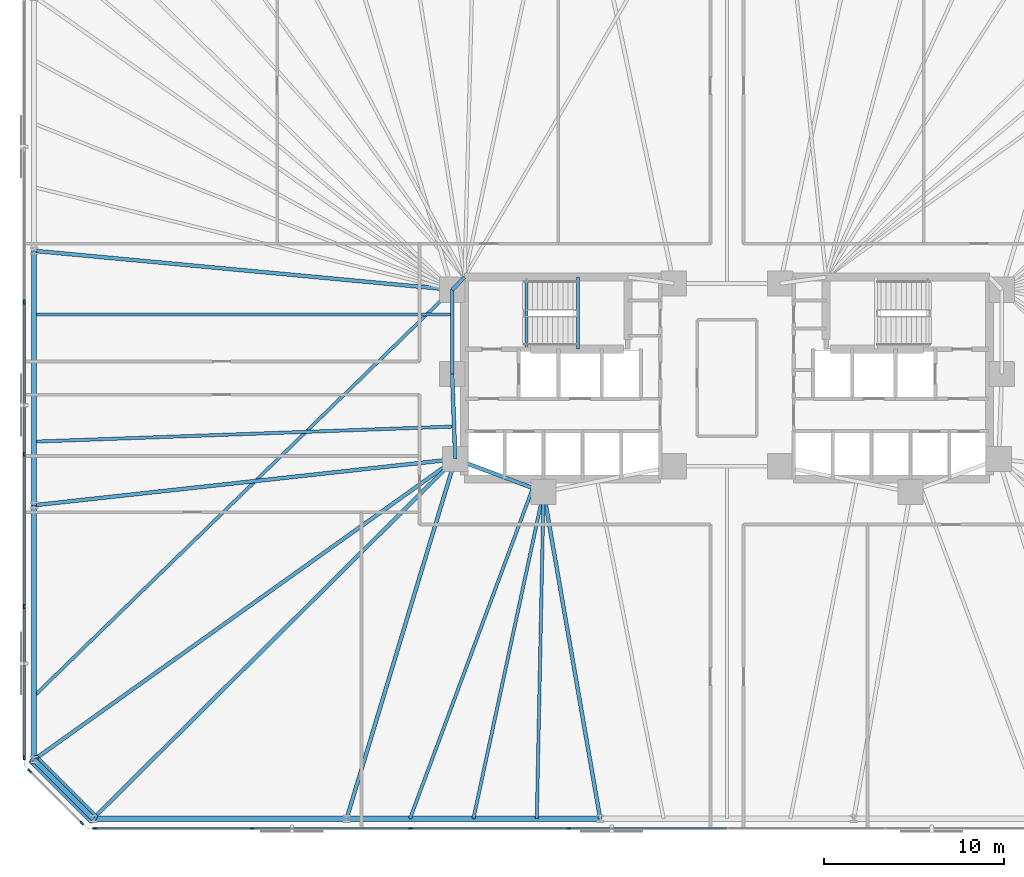
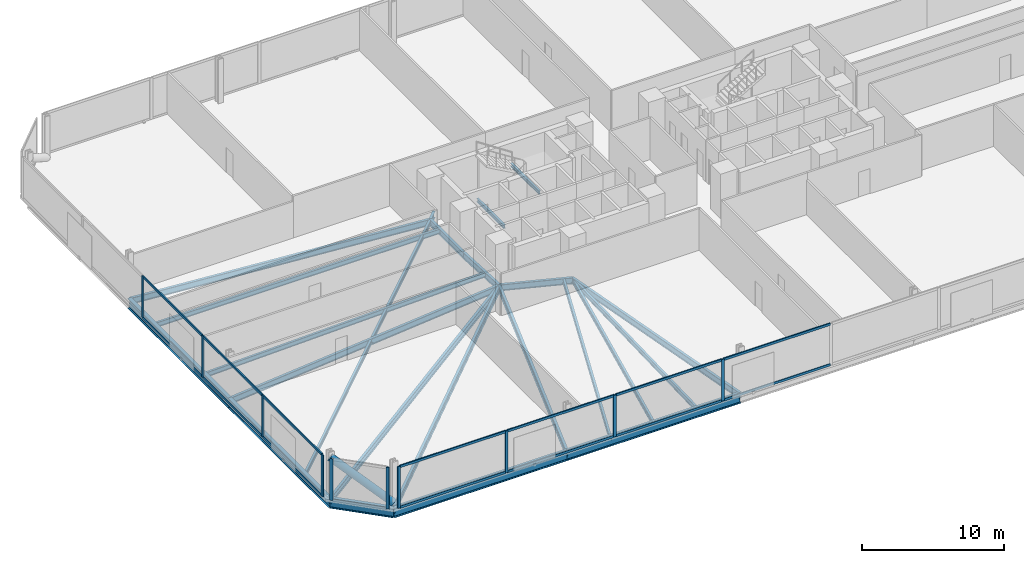
# One storey, part 6 of 17: 25 members, 23 beams, 3 elements without a shape of their own.
"""IFC4 building model written with IfcOpenShell, lengths in metres."""

from ifc_helpers import new_model, si_unit, direction, frame, origin, origin_2d, place, context, subcontext, project, spatial, rectangle, hollow_circle, i_section, extrude, material, material_profile, profile_set, type_object, element, aggregate, save


model = new_model("IFC4")

# Units and contexts
model_context = context("Model", 3, precision=1e-05, world=origin(), true_north=direction((0.0, 1.0)))
body_context = subcontext(model_context, "Body", "Model", "MODEL_VIEW")
ifc_project = project(units=[si_unit("LENGTHUNIT", "METRE"), si_unit("AREAUNIT", "SQUARE_METRE"), si_unit("VOLUMEUNIT", "CUBIC_METRE"), si_unit("PLANEANGLEUNIT", "RADIAN"), si_unit("MASSUNIT", "GRAM", prefix="KILO")], contexts=[model_context])

# Site, building, storey
site_placement = place(None, origin())
site = spatial("IfcSite", under=ifc_project, at=site_placement, CompositionType="ELEMENT")
building_placement = place(site_placement, origin())
building = spatial("IfcBuilding", under=site, at=building_placement, Name="Menara Jurai Vektor", CompositionType="ELEMENT")
storey_placement = place(building_placement, frame((0.0, 0.0, 48.39990234375)))
storey = spatial("IfcBuildingStorey", under=building, at=storey_placement, Name="L11", CompositionType="ELEMENT", Elevation=48.39990234375)

# Curtain wall, members
ifc_material_1 = material(Name="Anodised Pale Aluminium & Low-E Double Glazing", Category="aluminium")
curtain_wall_type = type_object("IfcCurtainWallType", Name="CW-BLK1", PredefinedType="NOTDEFINED", material=ifc_material_1)
curtain_wall_1_placement = place(storey_placement, origin())
curtain_wall_1 = element("IfcCurtainWall", 1, at=curtain_wall_1_placement, inside=storey, type_object=curtain_wall_type, Name="Unitised Curtain Wall L11 F01", PredefinedType="NOTDEFINED")
ifc_material_2 = material(Name="Anodised Pale Aluminium Mullion", Category="aluminium")
ifc_material_profile_1 = material_profile(ifc_material_2, rectangle(XDim=0.094970703125, YDim=0.239990234375, at=origin_2d()), Name="ALU MUL 95x240")
ifc_profile_set_1 = profile_set([ifc_material_profile_1], Name="Anodised Pale Aluminium Mullion")
member_type_1 = type_object("IfcMemberType", Name="CW-BLK1-MUL", PredefinedType="MULLION", material=ifc_profile_set_1)
member_1_placement = place(storey_placement, frame((-35.072509765625, -25.0, 0.0), z_axis=(0.0, 0.0, 1.0), x_axis=(0.0, 1.0, 0.0)))
member_1 = element("IfcMember", 2, at=member_1_placement, type_object=member_type_1, Name="CW-01 mullion 1", PredefinedType="MULLION", context=body_context, shape_type="SweptSolid", body=[
    extrude(rectangle(XDim=0.094970703125, YDim=0.239990234375, at=origin_2d()), origin(), (0.0, 0.0, 1.0), 3.5751953125),
])
member_2_placement = place(storey_placement, frame((-26.340087890625, -25.0, 0.0), z_axis=(0.0, 0.0, 1.0), x_axis=(0.0, 1.0, 0.0)))
member_2 = element("IfcMember", 3, at=member_2_placement, type_object=member_type_1, Name="CW-01 mullion 2", PredefinedType="MULLION", context=body_context, shape_type="SweptSolid", body=[
    extrude(rectangle(XDim=0.094970703125, YDim=0.239990234375, at=origin_2d()), origin(), (0.0, 0.0, 1.0), 3.5751953125),
])
member_3_placement = place(storey_placement, frame((-17.56005859375, -25.0, 0.0), z_axis=(0.0, 0.0, 1.0), x_axis=(0.0, 1.0, 0.0)))
member_3 = element("IfcMember", 4, at=member_3_placement, type_object=member_type_1, Name="CW-01 mullion 3", PredefinedType="MULLION", context=body_context, shape_type="SweptSolid", body=[
    extrude(rectangle(XDim=0.094970703125, YDim=0.239990234375, at=origin_2d()), origin(), (0.0, 0.0, 1.0), 3.5751953125),
])
member_4_placement = place(storey_placement, frame((-8.780029296875, -25.0, 0.0), z_axis=(0.0, 0.0, 1.0), x_axis=(0.0, 1.0, 0.0)))
member_4 = element("IfcMember", 5, at=member_4_placement, type_object=member_type_1, Name="CW-01 mullion 4", PredefinedType="MULLION", context=body_context, shape_type="SweptSolid", body=[
    extrude(rectangle(XDim=0.094970703125, YDim=0.239990234375, at=origin_2d()), origin(), (0.0, 0.0, 1.0), 3.5751953125),
])

curtain_wall_2_placement = place(storey_placement, origin())
curtain_wall_2 = element("IfcCurtainWall", 6, at=curtain_wall_2_placement, inside=storey, type_object=curtain_wall_type, Name="Unitised Curtain Wall L11 F07", PredefinedType="NOTDEFINED")
member_5_placement = place(storey_placement, frame((-39.0, 4.22412109375, 0.0), z_axis=(0.0, 0.0, 1.0), x_axis=(1.0, 0.0, 0.0)))
member_5 = element("IfcMember", 7, at=member_5_placement, type_object=member_type_1, Name="CW-01 mullion 3", PredefinedType="MULLION", context=body_context, shape_type="SweptSolid", body=[
    extrude(rectangle(XDim=0.094970703125, YDim=0.239990234375, at=origin_2d()), origin(), (0.0, 0.0, 1.0), 3.5751953125),
])
member_6_placement = place(storey_placement, frame((-39.0, -4.22412109375, 0.0), z_axis=(0.0, 0.0, 1.0), x_axis=(1.0, 0.0, 0.0)))
member_6 = element("IfcMember", 8, at=member_6_placement, type_object=member_type_1, Name="CW-01 mullion 4", PredefinedType="MULLION", context=body_context, shape_type="SweptSolid", body=[
    extrude(rectangle(XDim=0.094970703125, YDim=0.239990234375, at=origin_2d()), origin(), (0.0, 0.0, 1.0), 3.5751953125),
])
member_7_placement = place(storey_placement, frame((-39.0, -12.672119140625, 0.0), z_axis=(0.0, 0.0, 1.0), x_axis=(1.0, 0.0, 0.0)))
member_7 = element("IfcMember", 9, at=member_7_placement, type_object=member_type_1, Name="CW-01 mullion 5", PredefinedType="MULLION", context=body_context, shape_type="SweptSolid", body=[
    extrude(rectangle(XDim=0.094970703125, YDim=0.239990234375, at=origin_2d()), origin(), (0.0, 0.0, 1.0), 3.5751953125),
])
member_8_placement = place(storey_placement, frame((-39.0, -21.072509765625, 0.0), z_axis=(0.0, 0.0, 1.0), x_axis=(1.0, 0.0, 0.0)))
member_8 = element("IfcMember", 10, at=member_8_placement, type_object=member_type_1, Name="CW-01 mullion 6", PredefinedType="MULLION", context=body_context, shape_type="SweptSolid", body=[
    extrude(rectangle(XDim=0.094970703125, YDim=0.239990234375, at=origin_2d()), origin(), (0.0, 0.0, 1.0), 3.5751953125),
])

curtain_wall_3_placement = place(storey_placement, origin())
curtain_wall_3 = element("IfcCurtainWall", 11, at=curtain_wall_3_placement, inside=storey, type_object=curtain_wall_type, Name="Unitised Curtain Wall L11 F08", PredefinedType="NOTDEFINED")
member_9_placement = place(storey_placement, frame((-38.69775390625, -21.80224609375, 0.0), z_axis=(0.0, 0.0, 1.0), x_axis=(0.707106781187, 0.707106781187, 0.0)))
member_9 = element("IfcMember", 12, at=member_9_placement, type_object=member_type_1, Name="CW-01 mullion 1", PredefinedType="MULLION", context=body_context, shape_type="SweptSolid", body=[
    extrude(rectangle(XDim=0.094970703125, YDim=0.239990234375, at=origin_2d()), origin(), (0.0, 0.0, 1.0), 3.5751953125),
])
member_10_placement = place(storey_placement, frame((-35.80224609375, -24.69775390625, 0.0), z_axis=(0.0, 0.0, 1.0), x_axis=(0.707106781187, 0.707106781187, 0.0)))
member_10 = element("IfcMember", 13, at=member_10_placement, type_object=member_type_1, Name="CW-01 mullion 2", PredefinedType="MULLION", context=body_context, shape_type="SweptSolid", body=[
    extrude(rectangle(XDim=0.094970703125, YDim=0.239990234375, at=origin_2d()), origin(), (0.0, 0.0, 1.0), 3.5751953125),
])
aggregate(curtain_wall_3, [member_9, member_10])

# Member
ifc_material_3 = material(Name="Anodised Pale Aluminium Transom", Category="aluminium")
ifc_material_profile_2 = material_profile(ifc_material_3, rectangle(XDim=0.094970703125, YDim=0.199951171875, at=origin_2d()), Name="ALU TRN 95x200")
ifc_profile_set_2 = profile_set([ifc_material_profile_2], Name="Anodised Pale Aluminium Transom")
member_type_2 = type_object("IfcMemberType", Name="CW-BLK1-TRN", PredefinedType="USERDEFINED", material=ifc_profile_set_2)
member_11_placement = place(storey_placement, frame((-35.02490234375, -25.0, 0.047607421875), z_axis=(1.0, 0.0, 0.0), x_axis=(0.0, 1.0, 0.0)))
member_11 = element("IfcMember", 14, at=member_11_placement, type_object=member_type_2, Name="CW-01 transom 1.1", ObjectType="TRANSOM", PredefinedType="USERDEFINED", context=body_context, shape_type="SweptSolid", body=[
    extrude(rectangle(XDim=0.094970703125, YDim=0.199951171875, at=origin_2d()), origin(), (0.0, 0.0, 1.0), 8.637451171875),
])

member_12_placement = place(storey_placement, frame((-35.02490234375, -25.0, 3.527587890625), z_axis=(1.0, 0.0, 0.0), x_axis=(0.0, 1.0, 0.0)))
member_12 = element("IfcMember", 15, at=member_12_placement, type_object=member_type_2, Name="CW-01 transom 1.2", ObjectType="TRANSOM", PredefinedType="USERDEFINED", context=body_context, shape_type="SweptSolid", body=[
    extrude(rectangle(XDim=0.094970703125, YDim=0.199951171875, at=origin_2d()), origin(), (0.0, 0.0, 1.0), 8.637451171875),
])

member_13_placement = place(storey_placement, frame((-26.29248046875, -25.0, 0.047607421875), z_axis=(1.0, 0.0, 0.0), x_axis=(0.0, 1.0, 0.0)))
member_13 = element("IfcMember", 16, at=member_13_placement, type_object=member_type_2, Name="CW-01 transom 2.1", ObjectType="TRANSOM", PredefinedType="USERDEFINED", context=body_context, shape_type="SweptSolid", body=[
    extrude(rectangle(XDim=0.094970703125, YDim=0.199951171875, at=origin_2d()), origin(), (0.0, 0.0, 1.0), 8.68505859375),
])

member_14_placement = place(storey_placement, frame((-26.29248046875, -25.0, 3.527587890625), z_axis=(1.0, 0.0, 0.0), x_axis=(0.0, 1.0, 0.0)))
member_14 = element("IfcMember", 17, at=member_14_placement, type_object=member_type_2, Name="CW-01 transom 2.2", ObjectType="TRANSOM", PredefinedType="USERDEFINED", context=body_context, shape_type="SweptSolid", body=[
    extrude(rectangle(XDim=0.094970703125, YDim=0.199951171875, at=origin_2d()), origin(), (0.0, 0.0, 1.0), 8.68505859375),
])

member_15_placement = place(storey_placement, frame((-17.512451171875, -25.0, 0.047607421875), z_axis=(1.0, 0.0, 0.0), x_axis=(0.0, 1.0, 0.0)))
member_15 = element("IfcMember", 18, at=member_15_placement, type_object=member_type_2, Name="CW-01 transom 3.1", ObjectType="TRANSOM", PredefinedType="USERDEFINED", context=body_context, shape_type="SweptSolid", body=[
    extrude(rectangle(XDim=0.094970703125, YDim=0.199951171875, at=origin_2d()), origin(), (0.0, 0.0, 1.0), 8.68505859375),
])

member_16_placement = place(storey_placement, frame((-17.512451171875, -25.0, 3.527587890625), z_axis=(1.0, 0.0, 0.0), x_axis=(0.0, 1.0, 0.0)))
member_16 = element("IfcMember", 19, at=member_16_placement, type_object=member_type_2, Name="CW-01 transom 3.2", ObjectType="TRANSOM", PredefinedType="USERDEFINED", context=body_context, shape_type="SweptSolid", body=[
    extrude(rectangle(XDim=0.094970703125, YDim=0.199951171875, at=origin_2d()), origin(), (0.0, 0.0, 1.0), 8.68505859375),
])

member_17_placement = place(storey_placement, frame((-8.732421875, -25.0, 0.047607421875), z_axis=(1.0, 0.0, 0.0), x_axis=(0.0, 1.0, 0.0)))
member_17 = element("IfcMember", 20, at=member_17_placement, type_object=member_type_2, Name="CW-01 transom 4.1", ObjectType="TRANSOM", PredefinedType="USERDEFINED", context=body_context, shape_type="SweptSolid", body=[
    extrude(rectangle(XDim=0.094970703125, YDim=0.199951171875, at=origin_2d()), origin(), (0.0, 0.0, 1.0), 8.684814453125),
])

member_18_placement = place(storey_placement, frame((-8.732421875, -25.0, 3.527587890625), z_axis=(1.0, 0.0, 0.0), x_axis=(0.0, 1.0, 0.0)))
member_18 = element("IfcMember", 21, at=member_18_placement, type_object=member_type_2, Name="CW-01 transom 4.2", ObjectType="TRANSOM", PredefinedType="USERDEFINED", context=body_context, shape_type="SweptSolid", body=[
    extrude(rectangle(XDim=0.094970703125, YDim=0.199951171875, at=origin_2d()), origin(), (0.0, 0.0, 1.0), 8.684814453125),
])

aggregate(curtain_wall_1, [member_1, member_2, member_3, member_4, member_11, member_12, member_13, member_14, member_15, member_16, member_17, member_18])

member_19_placement = place(storey_placement, frame((-39.0, 4.176513671875, 0.047607421875), z_axis=(0.0, -1.0, 0.0), x_axis=(1.0, 0.0, 0.0)))
member_19 = element("IfcMember", 22, at=member_19_placement, type_object=member_type_2, Name="CW-01 transom 3.1", ObjectType="TRANSOM", PredefinedType="USERDEFINED", context=body_context, shape_type="SweptSolid", body=[
    extrude(rectangle(XDim=0.094970703125, YDim=0.199951171875, at=origin_2d()), origin(), (0.0, 0.0, 1.0), 8.35302734375),
])

member_20_placement = place(storey_placement, frame((-39.0, 4.176513671875, 3.527587890625), z_axis=(0.0, -1.0, 0.0), x_axis=(1.0, 0.0, 0.0)))
member_20 = element("IfcMember", 23, at=member_20_placement, type_object=member_type_2, Name="CW-01 transom 3.2", ObjectType="TRANSOM", PredefinedType="USERDEFINED", context=body_context, shape_type="SweptSolid", body=[
    extrude(rectangle(XDim=0.094970703125, YDim=0.199951171875, at=origin_2d()), origin(), (0.0, 0.0, 1.0), 8.35302734375),
])

member_21_placement = place(storey_placement, frame((-39.0, -4.271484375, 0.047607421875), z_axis=(0.0, -1.0, 0.0), x_axis=(1.0, 0.0, 0.0)))
member_21 = element("IfcMember", 24, at=member_21_placement, type_object=member_type_2, Name="CW-01 transom 4.1", ObjectType="TRANSOM", PredefinedType="USERDEFINED", context=body_context, shape_type="SweptSolid", body=[
    extrude(rectangle(XDim=0.094970703125, YDim=0.199951171875, at=origin_2d()), origin(), (0.0, 0.0, 1.0), 8.35302734375),
])

member_22_placement = place(storey_placement, frame((-39.0, -4.271484375, 3.527587890625), z_axis=(0.0, -1.0, 0.0), x_axis=(1.0, 0.0, 0.0)))
member_22 = element("IfcMember", 25, at=member_22_placement, type_object=member_type_2, Name="CW-01 transom 4.2", ObjectType="TRANSOM", PredefinedType="USERDEFINED", context=body_context, shape_type="SweptSolid", body=[
    extrude(rectangle(XDim=0.094970703125, YDim=0.199951171875, at=origin_2d()), origin(), (0.0, 0.0, 1.0), 8.35302734375),
])

member_23_placement = place(storey_placement, frame((-39.0, -12.719482421875, 0.047607421875), z_axis=(0.0, -1.0, 0.0), x_axis=(1.0, 0.0, 0.0)))
member_23 = element("IfcMember", 26, at=member_23_placement, type_object=member_type_2, Name="CW-01 transom 5.1", ObjectType="TRANSOM", PredefinedType="USERDEFINED", context=body_context, shape_type="SweptSolid", body=[
    extrude(rectangle(XDim=0.094970703125, YDim=0.199951171875, at=origin_2d()), origin(), (0.0, 0.0, 1.0), 8.305419921875),
])

member_24_placement = place(storey_placement, frame((-39.0, -12.719482421875, 3.527587890625), z_axis=(0.0, -1.0, 0.0), x_axis=(1.0, 0.0, 0.0)))
member_24 = element("IfcMember", 27, at=member_24_placement, type_object=member_type_2, Name="CW-01 transom 5.2", ObjectType="TRANSOM", PredefinedType="USERDEFINED", context=body_context, shape_type="SweptSolid", body=[
    extrude(rectangle(XDim=0.094970703125, YDim=0.199951171875, at=origin_2d()), origin(), (0.0, 0.0, 1.0), 8.305419921875),
])

aggregate(curtain_wall_2, [member_5, member_6, member_7, member_8, member_19, member_20, member_21, member_22, member_23, member_24])

# Beams
ifc_material_4 = material(Name="Steel S355", Category="steel")
ifc_material_profile_3 = material_profile(ifc_material_4, i_section(OverallWidth=0.2109375, OverallDepth=0.5390625, WebThickness=0.011962890625, FlangeThickness=0.01904296875, FilletRadius=0.012939453125, at=origin_2d()), Name="UKB 533x210x109")
ifc_profile_set_3 = profile_set([ifc_material_profile_3], Name="Steel S355")
beam_type_1 = type_object("IfcBeamType", Name="STR-BM-533", PredefinedType="BEAM", material=ifc_profile_set_3)
beam_1_placement = place(storey_placement, frame((-15.25, 4.89990234375, -0.494384765625), z_axis=(0.701871936926, 0.712303154672, 0.0), x_axis=(-0.712303154672, 0.701871936926, 0.0)))
element("IfcBeam", 28, at=beam_1_placement, inside=storey, type_object=beam_type_1, Name="Core Ring Header Girder L11-CHW-N1", PredefinedType="BEAM", context=body_context, shape_type="SweptSolid", body=[
    extrude(i_section(OverallWidth=0.2109375, OverallDepth=0.5390625, WebThickness=0.011962890625, FlangeThickness=0.01904296875, FilletRadius=0.012939453125, at=origin_2d()), origin(), (0.0, 0.0, 1.0), 0.98291015625),
])
beam_2_placement = place(storey_placement, frame((-15.25, 0.219970703125, -0.494384765625), z_axis=(0.0, 1.0, 0.0), x_axis=(-1.0, 0.0, 0.0)))
element("IfcBeam", 29, at=beam_2_placement, inside=storey, type_object=beam_type_1, Name="Core Ring Header Girder L11-CHW-W1", PredefinedType="BEAM", context=body_context, shape_type="SweptSolid", body=[
    extrude(i_section(OverallWidth=0.2109375, OverallDepth=0.5390625, WebThickness=0.011962890625, FlangeThickness=0.01904296875, FilletRadius=0.012939453125, at=origin_2d()), origin(), (0.0, 0.0, 1.0), 4.679931640625),
])
beam_3_placement = place(storey_placement, frame((-15.080078125, -4.5, -0.494384765625), z_axis=(-0.035977314146, 0.999352606874, 0.0), x_axis=(-0.999352606874, -0.035977314146, 0.0)))
element("IfcBeam", 30, at=beam_3_placement, inside=storey, type_object=beam_type_1, Name="Core Ring Header Girder L11-CHW-W2", PredefinedType="BEAM", context=body_context, shape_type="SweptSolid", body=[
    extrude(i_section(OverallWidth=0.2109375, OverallDepth=0.5390625, WebThickness=0.011962890625, FlangeThickness=0.01904296875, FilletRadius=0.012939453125, at=origin_2d()), origin(), (0.0, 0.0, 1.0), 4.72314453125),
])
beam_4_placement = place(storey_placement, frame((-15.080078125, -4.5, -0.494384765625), z_axis=(0.937424400887, -0.348188874925, 0.0), x_axis=(0.348188874925, 0.937424400887, 0.0)))
element("IfcBeam", 31, at=beam_4_placement, inside=storey, type_object=beam_type_1, Name="Core Ring Header Girder L11-CHW-S1", PredefinedType="BEAM", context=body_context, shape_type="SweptSolid", body=[
    extrude(i_section(OverallWidth=0.2109375, OverallDepth=0.5390625, WebThickness=0.011962890625, FlangeThickness=0.01904296875, FilletRadius=0.012939453125, at=origin_2d()), origin(), (0.0, 0.0, 1.0), 5.227294921875),
])
beam_5_placement = place(storey_placement, frame((-35.177734375, -24.449951171875, -0.494384765625), z_axis=(0.709709931659, 0.704494011972, 0.0), x_axis=(-0.704494011972, 0.709709931659, 0.0)))
element("IfcBeam", 32, at=beam_5_placement, inside=storey, type_object=beam_type_1, Name="Radial Floor Girder L11-S1", PredefinedType="BEAM", context=body_context, shape_type="SweptSolid", body=[
    extrude(i_section(OverallWidth=0.2109375, OverallDepth=0.5390625, WebThickness=0.011962890625, FlangeThickness=0.01904296875, FilletRadius=0.012939453125, at=origin_2d()), origin(), (0.0, 0.0, 1.0), 28.318115234375),
])
beam_6_placement = place(storey_placement, frame((-21.106689453125, -24.449951171875, -0.494384765625), z_axis=(0.289179812203, 0.957274796604, 0.0), x_axis=(-0.957274796604, 0.289179812203, 0.0)))
element("IfcBeam", 33, at=beam_6_placement, inside=storey, type_object=beam_type_1, Name="Radial Floor Girder L11-S2", PredefinedType="BEAM", context=body_context, shape_type="SweptSolid", body=[
    extrude(i_section(OverallWidth=0.2109375, OverallDepth=0.5390625, WebThickness=0.011962890625, FlangeThickness=0.01904296875, FilletRadius=0.012939453125, at=origin_2d()), origin(), (0.0, 0.0, 1.0), 20.84033203125),
])
beam_7_placement = place(storey_placement, frame((-7.03564453125, -24.449951171875, -0.494384765625), z_axis=(-0.170880325642, 0.985291791455, 0.0), x_axis=(-0.985291791455, -0.170880325642, 0.0)))
element("IfcBeam", 34, at=beam_7_placement, inside=storey, type_object=beam_type_1, Name="Radial Floor Girder L11-S3", PredefinedType="BEAM", context=body_context, shape_type="SweptSolid", body=[
    extrude(i_section(OverallWidth=0.2109375, OverallDepth=0.5390625, WebThickness=0.011962890625, FlangeThickness=0.01904296875, FilletRadius=0.012939453125, at=origin_2d()), origin(), (0.0, 0.0, 1.0), 18.400634765625),
])
beam_8_placement = place(storey_placement, frame((-38.449951171875, 7.059326171875, -0.494384765625), z_axis=(0.995696113112, -0.092678208514, 0.0), x_axis=(0.092678208514, 0.995696113112, 0.0)))
element("IfcBeam", 35, at=beam_8_placement, inside=storey, type_object=beam_type_1, Name="Radial Floor Girder L11-W2", PredefinedType="BEAM", context=body_context, shape_type="SweptSolid", body=[
    extrude(i_section(OverallWidth=0.2109375, OverallDepth=0.5390625, WebThickness=0.011962890625, FlangeThickness=0.01904296875, FilletRadius=0.012939453125, at=origin_2d()), origin(), (0.0, 0.0, 1.0), 23.30029296875),
])
beam_9_placement = place(storey_placement, frame((-38.449951171875, -7.059326171875, -0.494384765625), z_axis=(0.994056757953, 0.108863042253, 0.0), x_axis=(-0.108863042253, 0.994056757953, 0.0)))
element("IfcBeam", 36, at=beam_9_placement, inside=storey, type_object=beam_type_1, Name="Radial Floor Girder L11-W3", PredefinedType="BEAM", context=body_context, shape_type="SweptSolid", body=[
    extrude(i_section(OverallWidth=0.2109375, OverallDepth=0.5390625, WebThickness=0.011962890625, FlangeThickness=0.01904296875, FilletRadius=0.012939453125, at=origin_2d()), origin(), (0.0, 0.0, 1.0), 23.509521484375),
])
beam_10_placement = place(storey_placement, frame((-38.449951171875, -21.177734375, -0.494384765625), z_axis=(0.813981033216, 0.580891450759, 0.0), x_axis=(-0.580891450759, 0.813981033216, 0.0)))
element("IfcBeam", 37, at=beam_10_placement, inside=storey, type_object=beam_type_1, Name="Radial Floor Girder L11-W4", PredefinedType="BEAM", context=body_context, shape_type="SweptSolid", body=[
    extrude(i_section(OverallWidth=0.2109375, OverallDepth=0.5390625, WebThickness=0.011962890625, FlangeThickness=0.01904296875, FilletRadius=0.012939453125, at=origin_2d()), origin(), (0.0, 0.0, 1.0), 28.710693359375),
])

# Member
ifc_material_5 = material(Name="Steel S460", Category="steel")
ifc_material_profile_4 = material_profile(ifc_material_5, hollow_circle(Radius=0.304931640625, WallThickness=0.02490234375, at=origin_2d()), Name="CHS 610x25")
ifc_profile_set_4 = profile_set([ifc_material_profile_4], Name="Steel S460")
member_type_3 = type_object("IfcMemberType", Name="STR-BR-610", PredefinedType="BRACE", material=ifc_profile_set_4)
member_25_placement = place(storey_placement, frame((-35.177734375, -24.449951171875, 0.150146484375), z_axis=(-0.588942422958, 0.588942422958, 0.553438022619), x_axis=(-0.707106781187, -0.707106781187, 0.0)))
element("IfcMember", 38, at=member_25_placement, inside=storey, type_object=member_type_3, Name="Exoskeleton Corner Brace L11-4", PredefinedType="BRACE", context=body_context, shape_type="SweptSolid", body=[
    extrude(hollow_circle(Radius=0.304931640625, WallThickness=0.02490234375, at=origin_2d()), origin(), (0.0, 0.0, 1.0), 5.55615234375),
])

# Beams
ifc_material_profile_5 = material_profile(ifc_material_4, i_section(OverallWidth=0.178955078125, OverallDepth=0.408935546875, WebThickness=0.009033203125, FlangeThickness=0.013916015625, FilletRadius=0.010009765625, at=origin_2d()), Name="UKB 406x178x67")
ifc_profile_set_5 = profile_set([ifc_material_profile_5], Name="Steel S355")
beam_type_2 = type_object("IfcBeamType", Name="STR-JS-406", PredefinedType="JOIST", material=ifc_profile_set_5)
beam_11_placement = place(storey_placement, frame((-17.5888671875, -24.449951171875, -0.429443359375), z_axis=(0.348179014223, 0.937428063403, 0.0), x_axis=(-0.937428063403, 0.348179014223, 0.0)))
element("IfcBeam", 39, at=beam_11_placement, inside=storey, type_object=beam_type_2, Name="Radial Secondary Floor Joist L11-JS01", PredefinedType="JOIST", context=body_context, shape_type="SweptSolid", body=[
    extrude(i_section(OverallWidth=0.178955078125, OverallDepth=0.408935546875, WebThickness=0.009033203125, FlangeThickness=0.013916015625, FilletRadius=0.010009765625, at=origin_2d()), origin(), (0.0, 0.0, 1.0), 19.5751953125),
])
beam_12_placement = place(storey_placement, frame((-14.071044921875, -24.449951171875, -0.429443359375), z_axis=(0.209845584412, 0.977734539997, 0.0), x_axis=(-0.977734539997, 0.209845584412, 0.0)))
element("IfcBeam", 40, at=beam_12_placement, inside=storey, type_object=beam_type_2, Name="Radial Secondary Floor Joist L11-JS02", PredefinedType="JOIST", context=body_context, shape_type="SweptSolid", body=[
    extrude(i_section(OverallWidth=0.178955078125, OverallDepth=0.408935546875, WebThickness=0.009033203125, FlangeThickness=0.013916015625, FilletRadius=0.010009765625, at=origin_2d()), origin(), (0.0, 0.0, 1.0), 18.542724609375),
])
beam_13_placement = place(storey_placement, frame((-10.55322265625, -24.449951171875, -0.429443359375), z_axis=(0.020585456509, 0.999788097039, 0.0), x_axis=(-0.999788097039, 0.020585456509, 0.0)))
element("IfcBeam", 41, at=beam_13_placement, inside=storey, type_object=beam_type_2, Name="Radial Secondary Floor Joist L11-JS03", PredefinedType="JOIST", context=body_context, shape_type="SweptSolid", body=[
    extrude(i_section(OverallWidth=0.178955078125, OverallDepth=0.408935546875, WebThickness=0.009033203125, FlangeThickness=0.013916015625, FilletRadius=0.010009765625, at=origin_2d()), origin(), (0.0, 0.0, 1.0), 18.1337890625),
])
beam_14_placement = place(storey_placement, frame((-38.449951171875, 3.529541015625, -0.429443359375), z_axis=(1.0, 0.0, 0.0), x_axis=(0.0, 1.0, 0.0)))
element("IfcBeam", 42, at=beam_14_placement, inside=storey, type_object=beam_type_2, Name="Radial Secondary Floor Joist L11-JS35", PredefinedType="JOIST", context=body_context, shape_type="SweptSolid", body=[
    extrude(i_section(OverallWidth=0.178955078125, OverallDepth=0.408935546875, WebThickness=0.009033203125, FlangeThickness=0.013916015625, FilletRadius=0.010009765625, at=origin_2d()), origin(), (0.0, 0.0, 1.0), 23.199951171875),
])
beam_15_placement = place(storey_placement, frame((-38.449951171875, -3.529541015625, -0.429443359375), z_axis=(0.999352032814, 0.035993256462, 0.0), x_axis=(-0.035993256462, 0.999352032814, 0.0)))
element("IfcBeam", 43, at=beam_15_placement, inside=storey, type_object=beam_type_2, Name="Radial Secondary Floor Joist L11-JS36", PredefinedType="JOIST", context=body_context, shape_type="SweptSolid", body=[
    extrude(i_section(OverallWidth=0.178955078125, OverallDepth=0.408935546875, WebThickness=0.009033203125, FlangeThickness=0.013916015625, FilletRadius=0.010009765625, at=origin_2d()), origin(), (0.0, 0.0, 1.0), 23.31982421875),
])
beam_16_placement = place(storey_placement, frame((-38.449951171875, -17.648193359375, -0.429443359375), z_axis=(0.71710942187, 0.696960599363, 0.0), x_axis=(-0.696960599363, 0.71710942187, 0.0)))
element("IfcBeam", 44, at=beam_16_placement, inside=storey, type_object=beam_type_2, Name="Radial Secondary Floor Joist L11-JS37", PredefinedType="JOIST", context=body_context, shape_type="SweptSolid", body=[
    extrude(i_section(OverallWidth=0.178955078125, OverallDepth=0.408935546875, WebThickness=0.009033203125, FlangeThickness=0.013916015625, FilletRadius=0.010009765625, at=origin_2d()), origin(), (0.0, 0.0, 1.0), 32.35205078125),
])
ifc_material_profile_6 = material_profile(ifc_material_4, i_section(OverallWidth=0.1650390625, OverallDepth=0.302978515625, WebThickness=0.006103515625, FlangeThickness=0.010009765625, FilletRadius=0.009033203125, at=origin_2d()), Name="UKB 305x165x40")
ifc_profile_set_6 = profile_set([ifc_material_profile_6], Name="Steel S355")
beam_type_3 = type_object("IfcBeamType", Name="STR-LN-305", PredefinedType="LINTEL", material=ifc_profile_set_6)
beam_17_placement = place(storey_placement, frame((-11.1201171875, 1.60009765625, -0.37646484375), z_axis=(0.0, 1.0, 0.0), x_axis=(-1.0, 0.0, 0.0)))
element("IfcBeam", 45, at=beam_17_placement, inside=storey, type_object=beam_type_3, Name="Stair Well Floor Trimmer ST1 L11", PredefinedType="LINTEL", context=body_context, shape_type="SweptSolid", body=[
    extrude(i_section(OverallWidth=0.1650390625, OverallDepth=0.302978515625, WebThickness=0.006103515625, FlangeThickness=0.010009765625, FilletRadius=0.009033203125, at=origin_2d()), origin(), (0.0, 0.0, 1.0), 3.81982421875),
])
beam_18_placement = place(storey_placement, frame((-8.27001953125, 1.60009765625, 1.548583984375), z_axis=(0.0, 1.0, 0.0), x_axis=(-1.0, 0.0, 0.0)))
element("IfcBeam", 46, at=beam_18_placement, inside=storey, type_object=beam_type_3, Name="Stair Half-Landing Nosing Trimmer ST1-1 L11", PredefinedType="LINTEL", context=body_context, shape_type="SweptSolid", body=[
    extrude(i_section(OverallWidth=0.1650390625, OverallDepth=0.302978515625, WebThickness=0.006103515625, FlangeThickness=0.010009765625, FilletRadius=0.009033203125, at=origin_2d()), origin(), (0.0, 0.0, 1.0), 4.0),
])
ifc_material_profile_7 = material_profile(ifc_material_5, i_section(OverallWidth=0.2939453125, OverallDepth=0.85107421875, WebThickness=0.01611328125, FlangeThickness=0.027099609375, FilletRadius=0.01806640625, at=origin_2d()), Name="UKB 838x292x226")
ifc_profile_set_7 = profile_set([ifc_material_profile_7], Name="Steel S460")
beam_type_4 = type_object("IfcBeamType", Name="STR-SP-838", PredefinedType="SPANDREL", material=ifc_profile_set_7)
for number, where, z_axis, x_axis, name in (
    (47, (-35.177734375, -24.449951171875, -0.650390625), (1.0, 0.0, 0.0), (0.0, 1.0, 0.0), "Exoskeleton Spandrel Beam L11-01"),
    (48, (-21.106689453125, -24.449951171875, -0.650390625), (1.0, 0.0, 0.0), (0.0, 1.0, 0.0), "Exoskeleton Spandrel Beam L11-02"),
):
    element("IfcBeam", number, at=place(storey_placement, frame(where, z_axis=z_axis, x_axis=x_axis)), inside=storey, type_object=beam_type_4, Name=name, PredefinedType="SPANDREL", context=body_context, shape_type="SweptSolid", body=[
        extrude(i_section(OverallWidth=0.2939453125, OverallDepth=0.85107421875, WebThickness=0.01611328125, FlangeThickness=0.027099609375, FilletRadius=0.01806640625, at=origin_2d()), origin(), (0.0, 0.0, 1.0), 14.071044921875),
    ])
beam_19_placement = place(storey_placement, frame((-38.449951171875, 7.059326171875, -0.650390625), z_axis=(0.0, -1.0, 0.0), x_axis=(1.0, 0.0, 0.0)))
element("IfcBeam", 49, at=beam_19_placement, inside=storey, type_object=beam_type_4, Name="Exoskeleton Spandrel Beam L11-18", PredefinedType="SPANDREL", context=body_context, shape_type="SweptSolid", body=[
    extrude(i_section(OverallWidth=0.2939453125, OverallDepth=0.85107421875, WebThickness=0.01611328125, FlangeThickness=0.027099609375, FilletRadius=0.01806640625, at=origin_2d()), origin(), (0.0, 0.0, 1.0), 14.11865234375),
])
beam_20_placement = place(storey_placement, frame((-38.449951171875, -7.059326171875, -0.650390625), z_axis=(0.0, -1.0, 0.0), x_axis=(1.0, 0.0, 0.0)))
element("IfcBeam", 50, at=beam_20_placement, inside=storey, type_object=beam_type_4, Name="Exoskeleton Spandrel Beam L11-19", PredefinedType="SPANDREL", context=body_context, shape_type="SweptSolid", body=[
    extrude(i_section(OverallWidth=0.2939453125, OverallDepth=0.85107421875, WebThickness=0.01611328125, FlangeThickness=0.027099609375, FilletRadius=0.01806640625, at=origin_2d()), origin(), (0.0, 0.0, 1.0), 14.118408203125),
])
beam_21_placement = place(storey_placement, frame((-38.449951171875, -21.177734375, -0.650390625), z_axis=(0.707106781187, -0.707106781187, 0.0), x_axis=(0.707106781187, 0.707106781187, 0.0)))
element("IfcBeam", 51, at=beam_21_placement, inside=storey, type_object=beam_type_4, Name="Exoskeleton Spandrel Beam L11-20", PredefinedType="SPANDREL", context=body_context, shape_type="SweptSolid", body=[
    extrude(i_section(OverallWidth=0.2939453125, OverallDepth=0.85107421875, WebThickness=0.01611328125, FlangeThickness=0.027099609375, FilletRadius=0.01806640625, at=origin_2d()), origin(), (0.0, 0.0, 1.0), 4.627685546875),
])

save(model, "model.ifc")
